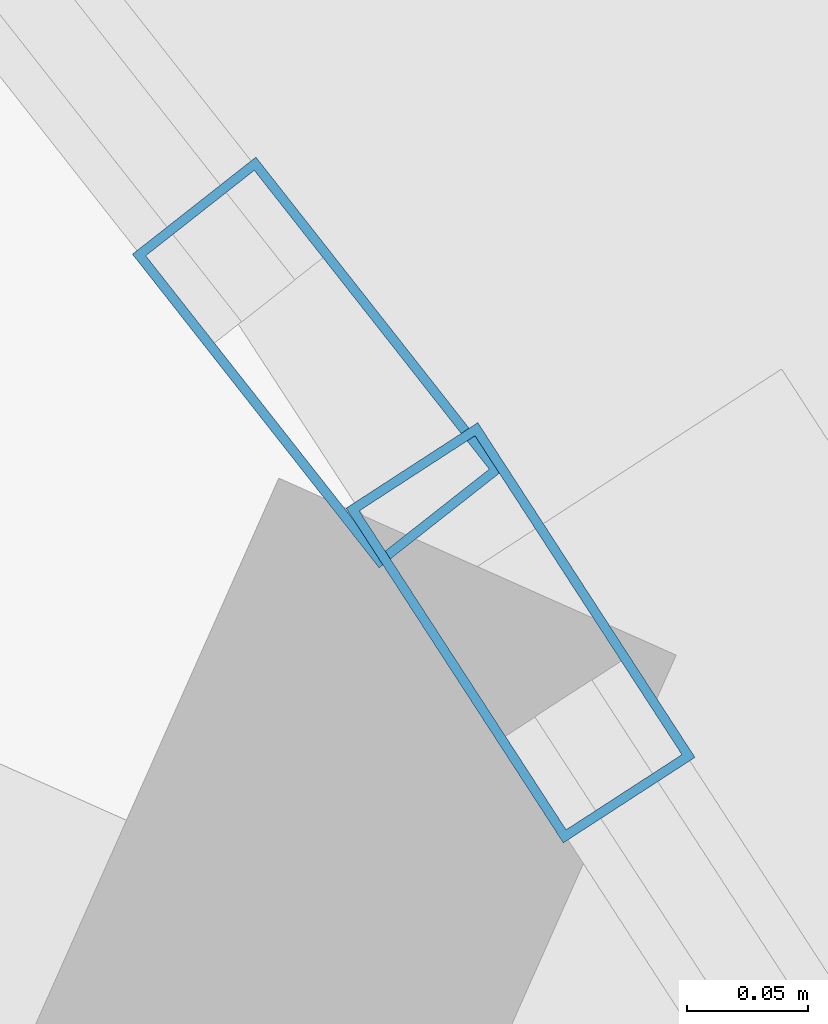
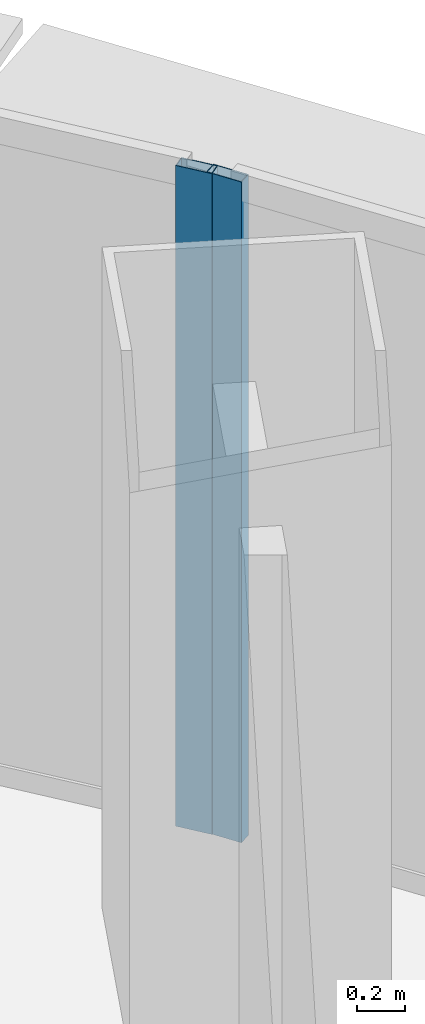
# One storey, part 20 of 40: 2 members, 2 elements without a shape of their own.
"""IFC4 building model written with IfcOpenShell, lengths in metres."""

from ifc_helpers import new_model, si_unit, direction, frame, origin, origin_2d, place, context, subcontext, project, spatial, hollow_rectangle, extrude, source, transform, mapped, material, layer, layer_set, material_profile, profile_set, type_object, element, aggregate, save


model = new_model("IFC4")

# Units and contexts
model_context = context("Model", 3, precision=1e-05, world=origin(), true_north=direction((0.0, 1.0)))
body_context = subcontext(model_context, "Body", "Model", "MODEL_VIEW")
ifc_project = project(units=[si_unit("LENGTHUNIT", "METRE"), si_unit("AREAUNIT", "SQUARE_METRE"), si_unit("VOLUMEUNIT", "CUBIC_METRE"), si_unit("PLANEANGLEUNIT", "RADIAN"), si_unit("MASSUNIT", "GRAM", prefix="KILO"), si_unit("THERMODYNAMICTEMPERATUREUNIT", "KELVIN"), si_unit("POWERUNIT", "WATT")], contexts=[model_context])

# Site, building, storey
site_placement = place(None, origin())
site = spatial("IfcSite", under=ifc_project, at=site_placement, CompositionType="ELEMENT")
building_placement = place(site_placement, origin())
building = spatial("IfcBuilding", under=site, at=building_placement, Name="Yunzhuo Pagoda Commons", CompositionType="ELEMENT")
storey_placement = place(building_placement, frame((0.0, 0.0, 66.699951171875)))
storey = spatial("IfcBuildingStorey", under=building, at=storey_placement, Name="L17", CompositionType="ELEMENT", Elevation=66.699951171875)

# Curtain wall, member
ifc_material = material(Name="Anodized aluminium 6063-T6", Category="aluminium")
ifc_layer = layer(ifc_material, 0.1650390625)
ifc_layer_set = layer_set([ifc_layer], Name="Anodized aluminium 6063-T6")
curtain_wall_type = type_object("IfcCurtainWallType", Name="CW-LOW Low-Zone Ribbon Curtain Wall", PredefinedType="NOTDEFINED", material=ifc_layer_set)
curtain_wall_1_placement = place(storey_placement, origin())
curtain_wall_1 = element("IfcCurtainWall", 1, at=curtain_wall_1_placement, inside=storey, type_object=curtain_wall_type, Name="L17 curtain wall CW-L17-F2B4", PredefinedType="NOTDEFINED")
ifc_material_profile = material_profile(ifc_material, hollow_rectangle(XDim=0.06494140625, YDim=0.1650390625, WallThickness=0.00390625, at=origin_2d()), Name="Anodized aluminium 6063-T6")
ifc_profile_set = profile_set([ifc_material_profile], Name="Anodized aluminium 6063-T6")
member_type = type_object("IfcMemberType", Name="CW-LOW-M Mullion RHS 165x65x4", PredefinedType="MULLION", material=ifc_profile_set)
shared_shape = source(origin(), body_context, "Body", "SweptSolid", [
    extrude(hollow_rectangle(XDim=0.06494140625, YDim=0.1650390625, WallThickness=0.00390625, at=origin_2d()), origin(), (0.0, 0.0, 1.0), 3.3701171875),
])
member_1_placement = place(storey_placement, frame((65.0556640625, 71.9404296875, 0.0), z_axis=(0.0, 0.0, 1.0), x_axis=(-0.838840312647, -0.54437756188, 0.0)))
member_1 = element("IfcMember", 2, at=member_1_placement, type_object=member_type, Name="CW mullion 2", PredefinedType="MULLION", context=body_context, shape_type="MappedRepresentation", body=[
    mapped(shared_shape, transform((0.0, 0.0, 0.0), scale=1.0)),
])
aggregate(curtain_wall_1, [member_1])

curtain_wall_2_placement = place(storey_placement, origin())
curtain_wall_2 = element("IfcCurtainWall", 3, at=curtain_wall_2_placement, inside=storey, type_object=curtain_wall_type, Name="L17 curtain wall CW-L17-F2B5", PredefinedType="NOTDEFINED")
member_2_placement = place(storey_placement, frame((64.9716796875, 72.05224609375, 0.0), z_axis=(0.0, 0.0, 1.0), x_axis=(-0.78604582322, -0.618168232602, 0.0)))
member_2 = element("IfcMember", 4, at=member_2_placement, type_object=member_type, Name="CW mullion 1", PredefinedType="MULLION", context=body_context, shape_type="MappedRepresentation", body=[
    mapped(shared_shape, transform((0.0, 0.0, 0.0), scale=1.0)),
])
aggregate(curtain_wall_2, [member_2])

save(model, "model.ifc")
